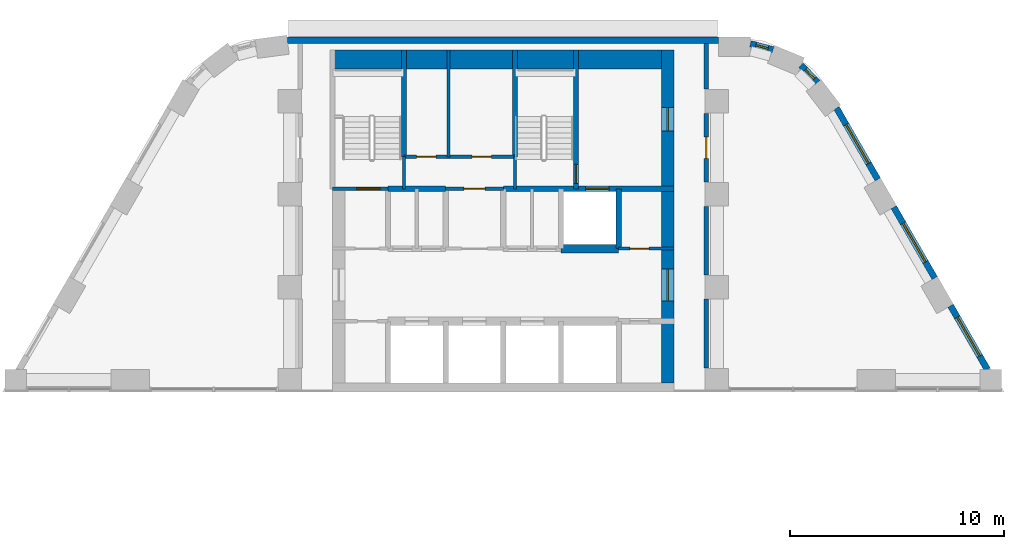
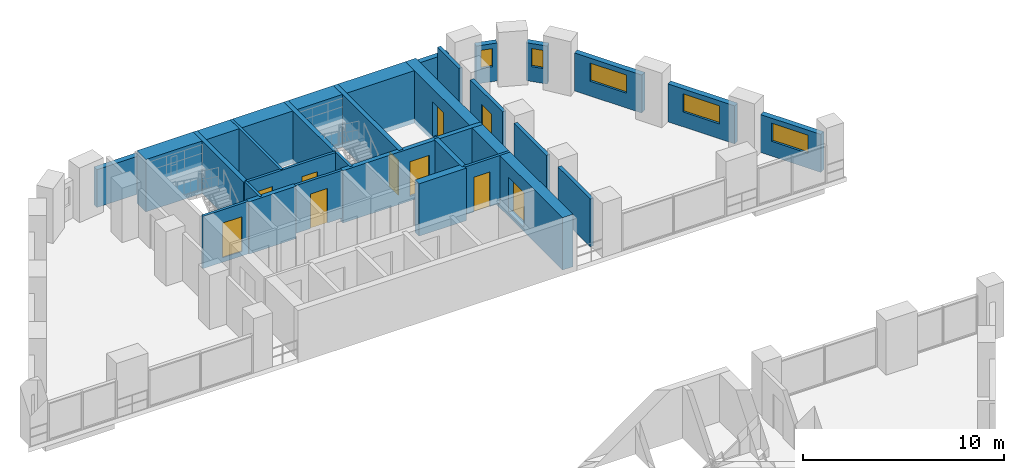
# One storey, part 8 of 11: 26 walls, 10 doors, 5 windows, 15 openings.
"""IFC4 building model written with IfcOpenShell, lengths in metres."""

from ifc_helpers import new_model, si_unit, direction, frame, frame_2d, origin, place, context, subcontext, project, spatial, rectangle, extrude, material, layer, layer_set, type_object, element, fill, save


model = new_model("IFC4")

# Units and contexts
model_context = context("Model", 3, precision=1e-05, world=origin(), true_north=direction((0.0, 1.0)))
body_context = subcontext(model_context, "Body", "Model", "MODEL_VIEW")
ifc_project = project(units=[si_unit("LENGTHUNIT", "METRE"), si_unit("AREAUNIT", "SQUARE_METRE"), si_unit("VOLUMEUNIT", "CUBIC_METRE"), si_unit("PLANEANGLEUNIT", "RADIAN"), si_unit("MASSUNIT", "GRAM", prefix="KILO")], contexts=[model_context])

# Site, building, storey
site_placement = place(None, origin())
site = spatial("IfcSite", under=ifc_project, at=site_placement, CompositionType="ELEMENT")
building_placement = place(site_placement, origin())
building = spatial("IfcBuilding", under=site, at=building_placement, Name="Nakaniwa Court", CompositionType="ELEMENT")
storey_placement = place(building_placement, frame((0.0, 0.0, 34.800048828125)))
storey = spatial("IfcBuildingStorey", under=building, at=storey_placement, Name="L08", CompositionType="ELEMENT", Elevation=34.800048828125)

# Walls
ifc_material_1 = material(Name="Acoustic double stud partition")
ifc_layer_1 = layer(ifc_material_1, 0.199951171875)
ifc_layer_set_1 = layer_set([ifc_layer_1], Name="Acoustic double stud partition")
wall_type_1 = type_object("IfcWallType", Name="Acoustic double stud partition 200", PredefinedType="PARTITIONING", material=ifc_layer_set_1)
wall_1_placement = place(storey_placement, frame((89.5, 88.51708984375, 0.0), z_axis=(0.0, 0.0, 1.0), x_axis=(0.0, 1.0, 0.0)))
element("IfcWall", 1, at=wall_1_placement, inside=storey, type_object=wall_type_1, Name="Partition PW-075", PredefinedType="PARTITIONING", context=body_context, shape_type="SweptSolid", body=[
    extrude(rectangle(XDim=3.2158203125, YDim=0.199951171875, at=frame_2d((1.60791015625, 0.0))), origin(), (0.0, 0.0, 1.0), 2.89990234375),
])
wall_2_placement = place(storey_placement, frame((89.5, 92.866943359375, 0.0), z_axis=(0.0, 0.0, 1.0), x_axis=(0.0, 1.0, 0.0)))
element("IfcWall", 2, at=wall_2_placement, inside=storey, type_object=wall_type_1, Name="Partition PW-076", PredefinedType="PARTITIONING", context=body_context, shape_type="SweptSolid", body=[
    extrude(rectangle(XDim=3.216064453125, YDim=0.199951171875, at=frame_2d((1.60791015625, 0.0))), origin(), (0.0, 0.0, 1.0), 2.89990234375),
])

# Wall, opening, door
wall_3_placement = place(storey_placement, frame((89.5, 100.43310546875, 0.0), z_axis=(0.0, 0.0, 1.0), x_axis=(0.0, -1.0, 0.0)))
wall_3 = element("IfcWall", 3, at=wall_3_placement, inside=storey, type_object=wall_type_1, Name="Partition PW-077", PredefinedType="PARTITIONING", context=body_context, shape_type="SweptSolid", body=[
    extrude(rectangle(XDim=3.216064453125, YDim=0.199951171875, at=frame_2d((1.60791015625, 0.0))), origin(), (0.0, 0.0, 1.0), 2.89990234375),
])
opening_1_placement = place(wall_3_placement, frame((1.10791015625, 0.0, 0.0)))
opening_1 = element("IfcOpeningElement", 4, at=opening_1_placement, cuts=wall_3, Name="Opening D-02-02", PredefinedType="OPENING", context=body_context, shape_type="SweptSolid", body=[
    extrude(rectangle(XDim=1.0, YDim=2.10009765625, at=frame_2d((0.5, 1.050048828125))), frame((0.0, 0.10986328125, 0.0), z_axis=(0.0, -1.0, 0.0), x_axis=(1.0, 0.0, 0.0)), (0.0, 0.0, 1.0), 0.219970703125),
])
ifc_material_2 = material(Name="Solid core timber door set, black veneer", Category="wood")
door_type_1 = type_object("IfcDoorType", Name="Internal door 1000", OperationType="NOTDEFINED", PredefinedType="DOOR", material=ifc_material_2)
door_1_placement = place(opening_1_placement, origin())
door_1 = element("IfcDoor", 5, at=door_1_placement, inside=storey, type_object=door_type_1, Name="Door D-02-02 L08-030", OperationType="SINGLE_SWING_LEFT", OverallHeight=2.10009765625, OverallWidth=1.0, PredefinedType="DOOR", context=body_context, shape_type="SweptSolid", body=[
    extrude(rectangle(XDim=1.0, YDim=2.10009765625, at=frame_2d((0.5, 1.050048828125))), frame((0.0, 0.02490234375, 0.0), z_axis=(0.0, -1.0, 0.0), x_axis=(1.0, 0.0, 0.0)), (0.0, 0.0, 1.0), 0.050048828125),
])
fill(opening_1, door_1)

# Wall
wall_4_placement = place(storey_placement, frame((89.5, 101.56689453125, 0.0), z_axis=(0.0, 0.0, 1.0), x_axis=(0.0, 1.0, 0.0)))
element("IfcWall", 6, at=wall_4_placement, inside=storey, type_object=wall_type_1, Name="Partition PW-078", PredefinedType="PARTITIONING", context=body_context, shape_type="SweptSolid", body=[
    extrude(rectangle(XDim=2.133056640625, YDim=0.199951171875, at=frame_2d((1.06640625, 0.0))), origin(), (0.0, 0.0, 1.0), 2.89990234375),
])

# Wall, opening, window
ifc_material_3 = material(Name="Charcoal ceramic cladding")
ifc_layer_2 = layer(ifc_material_3, 0.02, Name="Ceramic cladding")
ifc_material_4 = material(Name="Ventilated air cavity")
ifc_layer_3 = layer(ifc_material_4, 0.04, ventilated=True, Name="Ventilated cavity")
ifc_material_5 = material(Name="Mineral wool insulation")
ifc_layer_4 = layer(ifc_material_5, 0.1, Name="Insulation")
ifc_material_6 = material(Name="Cement bonded sheathing board")
ifc_layer_5 = layer(ifc_material_6, 0.012, Name="Sheathing")
ifc_material_7 = material(Name="Cold-formed galvanised stud frame with mineral wool infill")
ifc_layer_6 = layer(ifc_material_7, 0.1, Name="Stud frame")
ifc_material_8 = material(Name="Fire-rated gypsum plasterboard lining")
ifc_layer_7 = layer(ifc_material_8, 0.028, Name="Lining")
ifc_layer_set_2 = layer_set([ifc_layer_2, ifc_layer_3, ifc_layer_4, ifc_layer_5, ifc_layer_6, ifc_layer_7], Name="Charcoal ceramic faced external wall system")
wall_type_2 = type_object("IfcWallType", Name="Black ceramic faced external wall 300", PredefinedType="SOLIDWALL", material=ifc_layer_set_2)
wall_5_placement = place(storey_placement, frame((102.6630859375, 88.446533203125, 0.0), z_axis=(0.0, 0.0, 1.0), x_axis=(-0.500035437112, 0.866004943191, 0.0)))
wall_5 = element("IfcWall", 7, at=wall_5_placement, inside=storey, type_object=wall_type_2, Name="L08 external wall 21", PredefinedType="SOLIDWALL", context=body_context, shape_type="SweptSolid", body=[
    extrude(rectangle(XDim=3.443603515625, YDim=0.300048828125, at=frame_2d((1.7216796875, 0.0))), origin(), (0.0, 0.0, 1.0), 2.300048828125),
])
opening_2_placement = place(wall_5_placement, frame((0.722412109375, 0.0, 0.89990234375)))
opening_2 = element("IfcOpeningElement", 8, at=opening_2_placement, cuts=wall_5, Name="Opening W7.13", PredefinedType="OPENING", context=body_context, shape_type="SweptSolid", body=[
    extrude(rectangle(XDim=2.10009765625, YDim=1.10009765625, at=frame_2d((1.050048828125, 0.550048828125))), frame((0.0, 0.159912109375, 0.0), z_axis=(0.0, -1.0, 0.0), x_axis=(1.0, 0.0, 0.0)), (0.0, 0.0, 1.0), 0.320068359375),
])
ifc_material_9 = material(Name="Black anodised aluminium frame with dark low-E laminated double glazing", Category="aluminium")
window_type_1 = type_object("IfcWindowType", Name="Dark glass window 2100x1100 sill 900", PartitioningType="SINGLE_PANEL", PredefinedType="WINDOW", material=ifc_material_9)
window_1_placement = place(opening_2_placement, origin())
window_1 = element("IfcWindow", 9, at=window_1_placement, inside=storey, type_object=window_type_1, Name="L08 habitable room window 21-0", OverallHeight=1.10009765625, OverallWidth=2.10009765625, PartitioningType="SINGLE_PANEL", PredefinedType="WINDOW", context=body_context, shape_type="SweptSolid", body=[
    extrude(rectangle(XDim=2.10009765625, YDim=1.10009765625, at=frame_2d((1.050048828125, 0.550048828125))), frame((0.0, 0.030029296875, 0.0), z_axis=(0.0, -1.0, 0.0), x_axis=(1.0, 0.0, 0.0)), (0.0, 0.0, 1.0), 0.06005859375),
])
fill(opening_2, window_1)

wall_6_placement = place(storey_placement, frame((100.1953125, 92.720703125, 0.0), z_axis=(0.0, 0.0, 1.0), x_axis=(-0.500001735503, 0.866024401789, 0.0)))
wall_6 = element("IfcWall", 10, at=wall_6_placement, inside=storey, type_object=wall_type_2, Name="L08 external wall 22", PredefinedType="SOLIDWALL", context=body_context, shape_type="SweptSolid", body=[
    extrude(rectangle(XDim=3.833984375, YDim=0.300048828125, at=frame_2d((1.9169921875, 0.0))), origin(), (0.0, 0.0, 1.0), 2.300048828125),
])
opening_3_placement = place(wall_6_placement, frame((0.866943359375, 0.0, 0.89990234375)))
opening_3 = element("IfcOpeningElement", 11, at=opening_3_placement, cuts=wall_6, Name="Opening W7.14", PredefinedType="OPENING", context=body_context, shape_type="SweptSolid", body=[
    extrude(rectangle(XDim=2.10009765625, YDim=1.10009765625, at=frame_2d((1.050048828125, 0.550048828125))), frame((0.0, 0.159912109375, 0.0), z_axis=(0.0, -1.0, 0.0), x_axis=(1.0, 0.0, 0.0)), (0.0, 0.0, 1.0), 0.320068359375),
])
window_2_placement = place(opening_3_placement, origin())
window_2 = element("IfcWindow", 12, at=window_2_placement, inside=storey, type_object=window_type_1, Name="L08 habitable room window 22-0", OverallHeight=1.10009765625, OverallWidth=2.10009765625, PartitioningType="SINGLE_PANEL", PredefinedType="WINDOW", context=body_context, shape_type="SweptSolid", body=[
    extrude(rectangle(XDim=2.10009765625, YDim=1.10009765625, at=frame_2d((1.050048828125, 0.550048828125))), frame((0.0, 0.030029296875, 0.0), z_axis=(0.0, -1.0, 0.0), x_axis=(1.0, 0.0, 0.0)), (0.0, 0.0, 1.0), 0.06005859375),
])
fill(opening_3, window_2)

wall_7_placement = place(storey_placement, frame((97.5322265625, 97.3330078125, 0.0), z_axis=(0.0, 0.0, 1.0), x_axis=(-0.499948341072, 0.866055227026, 0.0)))
wall_7 = element("IfcWall", 13, at=wall_7_placement, inside=storey, type_object=wall_type_2, Name="L08 external wall 23", PredefinedType="SOLIDWALL", context=body_context, shape_type="SweptSolid", body=[
    extrude(rectangle(XDim=3.8671875, YDim=0.300048828125, at=frame_2d((1.93359375, 0.0))), origin(), (0.0, 0.0, 1.0), 2.300048828125),
])
opening_4_placement = place(wall_7_placement, frame((0.872314453125, 0.0, 0.89990234375)))
opening_4 = element("IfcOpeningElement", 14, at=opening_4_placement, cuts=wall_7, Name="Opening W7.15", PredefinedType="OPENING", context=body_context, shape_type="SweptSolid", body=[
    extrude(rectangle(XDim=2.10009765625, YDim=1.10009765625, at=frame_2d((1.050048828125, 0.550048828125))), frame((0.0, 0.159912109375, 0.0), z_axis=(0.0, -1.0, 0.0), x_axis=(1.0, 0.0, 0.0)), (0.0, 0.0, 1.0), 0.320068359375),
])
window_3_placement = place(opening_4_placement, origin())
window_3 = element("IfcWindow", 15, at=window_3_placement, inside=storey, type_object=window_type_1, Name="L08 habitable room window 23-0", OverallHeight=1.10009765625, OverallWidth=2.10009765625, PartitioningType="SINGLE_PANEL", PredefinedType="WINDOW", context=body_context, shape_type="SweptSolid", body=[
    extrude(rectangle(XDim=2.10009765625, YDim=1.10009765625, at=frame_2d((1.050048828125, 0.550048828125))), frame((0.0, 0.030029296875, 0.0), z_axis=(0.0, -1.0, 0.0), x_axis=(1.0, 0.0, 0.0)), (0.0, 0.0, 1.0), 0.06005859375),
])
fill(opening_4, window_3)

wall_8_placement = place(storey_placement, frame((94.712646484375, 101.8828125, 0.0), z_axis=(0.0, 0.0, 1.0), x_axis=(-0.696138968055, 0.717907053285, 0.0)))
wall_8 = element("IfcWall", 16, at=wall_8_placement, inside=storey, type_object=wall_type_2, Name="L08 external wall 24", PredefinedType="SOLIDWALL", context=body_context, shape_type="SweptSolid", body=[
    extrude(rectangle(XDim=1.1103515625, YDim=0.300048828125, at=frame_2d((0.55517578125, 0.0))), origin(), (0.0, 0.0, 1.0), 2.300048828125),
])
opening_5_placement = place(wall_8_placement, frame((0.230712890625, 0.0, 0.89990234375)))
opening_5 = element("IfcOpeningElement", 17, at=opening_5_placement, cuts=wall_8, Name="Opening W8.16", PredefinedType="OPENING", context=body_context, shape_type="SweptSolid", body=[
    extrude(rectangle(XDim=0.60009765625, YDim=1.10009765625, at=frame_2d((0.300048828125, 0.550048828125))), frame((0.0, 0.159912109375, 0.0), z_axis=(0.0, -1.0, 0.0), x_axis=(1.0, 0.0, 0.0)), (0.0, 0.0, 1.0), 0.320068359375),
])
window_type_2 = type_object("IfcWindowType", Name="Dark glass window 600x1100 sill 900", PartitioningType="SINGLE_PANEL", PredefinedType="WINDOW", material=ifc_material_9)
window_4_placement = place(opening_5_placement, origin())
window_4 = element("IfcWindow", 18, at=window_4_placement, inside=storey, type_object=window_type_2, Name="L08 habitable room window 24-0", OverallHeight=1.10009765625, OverallWidth=0.60009765625, PartitioningType="SINGLE_PANEL", PredefinedType="WINDOW", context=body_context, shape_type="SweptSolid", body=[
    extrude(rectangle(XDim=0.60009765625, YDim=1.10009765625, at=frame_2d((0.300048828125, 0.550048828125))), frame((0.0, 0.030029296875, 0.0), z_axis=(0.0, -1.0, 0.0), x_axis=(1.0, 0.0, 0.0)), (0.0, 0.0, 1.0), 0.06005859375),
])
fill(opening_5, window_4)

wall_9_placement = place(storey_placement, frame((92.62548828125, 103.406982421875, 0.0), z_axis=(0.0, 0.0, 1.0), x_axis=(-0.96522637192, 0.261415475728, 0.0)))
wall_9 = element("IfcWall", 19, at=wall_9_placement, inside=storey, type_object=wall_type_2, Name="L08 external wall 25", PredefinedType="SOLIDWALL", context=body_context, shape_type="SweptSolid", body=[
    extrude(rectangle(XDim=1.0927734375, YDim=0.300048828125, at=frame_2d((0.54638671875, 0.0))), origin(), (0.0, 0.0, 1.0), 2.300048828125),
])
opening_6_placement = place(wall_9_placement, frame((0.236083984375, 0.0, 0.89990234375)))
opening_6 = element("IfcOpeningElement", 20, at=opening_6_placement, cuts=wall_9, Name="Opening W8.17", PredefinedType="OPENING", context=body_context, shape_type="SweptSolid", body=[
    extrude(rectangle(XDim=0.60009765625, YDim=1.10009765625, at=frame_2d((0.300048828125, 0.550048828125))), frame((0.0, 0.159912109375, 0.0), z_axis=(0.0, -1.0, 0.0), x_axis=(1.0, 0.0, 0.0)), (0.0, 0.0, 1.0), 0.320068359375),
])
window_5_placement = place(opening_6_placement, origin())
window_5 = element("IfcWindow", 21, at=window_5_placement, inside=storey, type_object=window_type_2, Name="L08 habitable room window 25-0", OverallHeight=1.10009765625, OverallWidth=0.60009765625, PartitioningType="SINGLE_PANEL", PredefinedType="WINDOW", context=body_context, shape_type="SweptSolid", body=[
    extrude(rectangle(XDim=0.60009765625, YDim=1.10009765625, at=frame_2d((0.300048828125, 0.550048828125))), frame((0.0, 0.030029296875, 0.0), z_axis=(0.0, -1.0, 0.0), x_axis=(1.0, 0.0, 0.0)), (0.0, 0.0, 1.0), 0.06005859375),
])
fill(opening_6, window_5)

# Wall
wall_10_placement = place(storey_placement, frame((90.07861328125, 103.85009765625, 0.0), z_axis=(0.0, 0.0, 1.0), x_axis=(-1.0, 0.0, 0.0)))
element("IfcWall", 22, at=wall_10_placement, inside=storey, type_object=wall_type_2, Name="L08 external wall 26", PredefinedType="SOLIDWALL", context=body_context, shape_type="SweptSolid", body=[
    extrude(rectangle(XDim=20.1904296875, YDim=0.300048828125, at=frame_2d((10.09521484375, 0.0))), origin(), (0.0, 0.0, 1.0), 2.300048828125),
])

# Wall, opening, door
ifc_material_10 = material(Name="Blockwork partition", Category="masonry")
ifc_layer_8 = layer(ifc_material_10, 0.14990234375)
ifc_layer_set_3 = layer_set([ifc_layer_8], Name="Blockwork partition")
wall_type_3 = type_object("IfcWallType", Name="Blockwork partition 150", PredefinedType="PARTITIONING", material=ifc_layer_set_3)
wall_11_placement = place(storey_placement, frame((85.39697265625, 94.10009765625, 0.0), z_axis=(0.0, 0.0, 1.0), x_axis=(1.0, 0.0, 0.0)))
wall_11 = element("IfcWall", 23, at=wall_11_placement, inside=storey, type_object=wall_type_3, Name="Partition PW-018", PredefinedType="PARTITIONING", context=body_context, shape_type="SweptSolid", body=[
    extrude(rectangle(XDim=2.60302734375, YDim=0.14990234375, at=frame_2d((1.301513671875, 0.0))), origin(), (0.0, 0.0, 1.0), 2.89990234375),
])
opening_7_placement = place(wall_11_placement, frame((0.528076171875, 0.0, 0.0)))
opening_7 = element("IfcOpeningElement", 24, at=opening_7_placement, cuts=wall_11, Name="Opening D-05-07", PredefinedType="OPENING", context=body_context, shape_type="SweptSolid", body=[
    extrude(rectangle(XDim=0.89990234375, YDim=2.10009765625, at=frame_2d((0.449951171875, 1.050048828125))), frame((0.0, 0.0849609375, 0.0), z_axis=(0.0, -1.0, 0.0), x_axis=(1.0, 0.0, 0.0)), (0.0, 0.0, 1.0), 0.169921875),
])
ifc_material_11 = material(Name="Fire rated steel door set", Category="steel")
door_type_2 = type_object("IfcDoorType", Name="Service room door 900", OperationType="NOTDEFINED", PredefinedType="DOOR", material=ifc_material_11)
door_2_placement = place(opening_7_placement, origin())
door_2 = element("IfcDoor", 25, at=door_2_placement, inside=storey, type_object=door_type_2, Name="Door D-05-07 L08-009", OperationType="SINGLE_SWING_RIGHT", OverallHeight=2.10009765625, OverallWidth=0.89990234375, PredefinedType="DOOR", context=body_context, shape_type="SweptSolid", body=[
    extrude(rectangle(XDim=0.89990234375, YDim=2.10009765625, at=frame_2d((0.449951171875, 1.050048828125))), frame((0.0, 0.02490234375, 0.0), z_axis=(0.0, -1.0, 0.0), x_axis=(1.0, 0.0, 0.0)), (0.0, 0.0, 1.0), 0.050048828125),
])
fill(opening_7, door_2)

wall_12_placement = place(storey_placement, frame((77.300048828125, 96.89990234375, 0.0), z_axis=(0.0, 0.0, 1.0), x_axis=(1.0, 0.0, 0.0)))
wall_12 = element("IfcWall", 26, at=wall_12_placement, inside=storey, type_object=wall_type_3, Name="Partition PW-026", PredefinedType="PARTITIONING", context=body_context, shape_type="SweptSolid", body=[
    extrude(rectangle(XDim=2.699951171875, YDim=0.14990234375, at=frame_2d((1.35009765625, 0.0))), origin(), (0.0, 0.0, 1.0), 2.89990234375),
])
opening_8_placement = place(wall_12_placement, frame((0.85009765625, 0.0, 0.0)))
opening_8 = element("IfcOpeningElement", 27, at=opening_8_placement, cuts=wall_12, Name="Opening D-23-01", PredefinedType="OPENING", context=body_context, shape_type="SweptSolid", body=[
    extrude(rectangle(XDim=1.0, YDim=2.10009765625, at=frame_2d((0.5, 1.050048828125))), frame((0.0, 0.0849609375, 0.0), z_axis=(0.0, -1.0, 0.0), x_axis=(1.0, 0.0, 0.0)), (0.0, 0.0, 1.0), 0.169921875),
])
door_type_3 = type_object("IfcDoorType", Name="Service room door 1000", OperationType="NOTDEFINED", PredefinedType="DOOR", material=ifc_material_11)
door_3_placement = place(opening_8_placement, origin())
door_3 = element("IfcDoor", 28, at=door_3_placement, inside=storey, type_object=door_type_3, Name="Door D-23-01 L08-010", OperationType="SINGLE_SWING_LEFT", OverallHeight=2.10009765625, OverallWidth=1.0, PredefinedType="DOOR", context=body_context, shape_type="SweptSolid", body=[
    extrude(rectangle(XDim=1.0, YDim=2.10009765625, at=frame_2d((0.5, 1.050048828125))), frame((0.0, 0.02490234375, 0.0), z_axis=(0.0, -1.0, 0.0), x_axis=(1.0, 0.0, 0.0)), (0.0, 0.0, 1.0), 0.050048828125),
])
fill(opening_8, door_3)

# Wall, openings, doors
wall_13_placement = place(storey_placement, frame((75.35009765625, 98.39990234375, 0.0), z_axis=(0.0, 0.0, 1.0), x_axis=(1.0, 0.0, 0.0)))
wall_13 = element("IfcWall", 29, at=wall_13_placement, inside=storey, type_object=wall_type_3, Name="Partition PW-034", PredefinedType="PARTITIONING", context=body_context, shape_type="SweptSolid", body=[
    extrude(rectangle(XDim=5.199951171875, YDim=0.14990234375, at=frame_2d((2.60009765625, 0.0))), origin(), (0.0, 0.0, 1.0), 2.89990234375),
])
opening_9_placement = place(wall_13_placement, frame((0.590087890625, 0.0, 0.0)))
opening_9 = element("IfcOpeningElement", 30, at=opening_9_placement, cuts=wall_13, Name="Opening D-05-08", PredefinedType="OPENING", context=body_context, shape_type="SweptSolid", body=[
    extrude(rectangle(XDim=0.89990234375, YDim=2.10009765625, at=frame_2d((0.449951171875, 1.050048828125))), frame((0.0, 0.0849609375, 0.0), z_axis=(0.0, -1.0, 0.0), x_axis=(1.0, 0.0, 0.0)), (0.0, 0.0, 1.0), 0.169921875),
])
opening_10_placement = place(wall_13_placement, frame((3.18994140625, 0.0, 0.0)))
opening_10 = element("IfcOpeningElement", 31, at=opening_10_placement, cuts=wall_13, Name="Opening D-05-09", PredefinedType="OPENING", context=body_context, shape_type="SweptSolid", body=[
    extrude(rectangle(XDim=0.89990234375, YDim=2.10009765625, at=frame_2d((0.449951171875, 1.050048828125))), frame((0.0, 0.0849609375, 0.0), z_axis=(0.0, -1.0, 0.0), x_axis=(1.0, 0.0, 0.0)), (0.0, 0.0, 1.0), 0.169921875),
])
door_4_placement = place(opening_9_placement, origin())
door_4 = element("IfcDoor", 32, at=door_4_placement, inside=storey, type_object=door_type_2, Name="Door D-05-08 L08-011", OperationType="SINGLE_SWING_RIGHT", OverallHeight=2.10009765625, OverallWidth=0.89990234375, PredefinedType="DOOR", context=body_context, shape_type="SweptSolid", body=[
    extrude(rectangle(XDim=0.89990234375, YDim=2.10009765625, at=frame_2d((0.449951171875, 1.050048828125))), frame((0.0, 0.02490234375, 0.0), z_axis=(0.0, -1.0, 0.0), x_axis=(1.0, 0.0, 0.0)), (0.0, 0.0, 1.0), 0.050048828125),
])
fill(opening_9, door_4)
door_5_placement = place(opening_10_placement, origin())
door_5 = element("IfcDoor", 33, at=door_5_placement, inside=storey, type_object=door_type_2, Name="Door D-05-09 L08-012", OperationType="SINGLE_SWING_LEFT", OverallHeight=2.10009765625, OverallWidth=0.89990234375, PredefinedType="DOOR", context=body_context, shape_type="SweptSolid", body=[
    extrude(rectangle(XDim=0.89990234375, YDim=2.10009765625, at=frame_2d((0.449951171875, 1.050048828125))), frame((0.0, 0.02490234375, 0.0), z_axis=(0.0, -1.0, 0.0), x_axis=(1.0, 0.0, 0.0)), (0.0, 0.0, 1.0), 0.050048828125),
])
fill(opening_10, door_5)

# Wall
wall_14_placement = place(storey_placement, frame((77.429931640625, 98.39990234375, 0.0), z_axis=(0.0, 0.0, 1.0), x_axis=(0.0, 1.0, 0.0)))
element("IfcWall", 34, at=wall_14_placement, inside=storey, type_object=wall_type_3, Name="Partition PW-035", PredefinedType="PARTITIONING", context=body_context, shape_type="SweptSolid", body=[
    extrude(rectangle(XDim=5.0, YDim=0.14990234375, at=frame_2d((2.5, 0.0))), origin(), (0.0, 0.0, 1.0), 2.89990234375),
])

# Wall, openings, doors
ifc_material_12 = material(Name="Concrete C100/115", Category="concrete")
ifc_layer_9 = layer(ifc_material_12, 0.60009765625)
ifc_layer_set_4 = layer_set([ifc_layer_9], Name="Concrete C100/115")
wall_type_4 = type_object("IfcWallType", Name="Concrete core side wall 600 C100", PredefinedType="SHEAR", material=ifc_layer_set_4)
wall_15_placement = place(storey_placement, frame((87.699951171875, 103.39990234375, -0.275146484375), z_axis=(0.0, 0.0, 1.0), x_axis=(0.0, -1.0, 0.0)))
wall_15 = element("IfcWall", 35, at=wall_15_placement, inside=storey, type_object=wall_type_4, Name="Core wall SW-15", PredefinedType="SHEAR", context=body_context, shape_type="SweptSolid", body=[
    extrude(rectangle(XDim=15.599853515625, YDim=0.60009765625, at=frame_2d((7.7998046875, 0.0))), origin(), (0.0, 0.0, 1.0), 3.175048828125),
])
opening_11_placement = place(wall_15_placement, frame((10.25, 0.0, 0.27490234375)))
opening_11 = element("IfcOpeningElement", 36, at=opening_11_placement, cuts=wall_15, Name="Opening D-07-01", PredefinedType="OPENING", context=body_context, shape_type="SweptSolid", body=[
    extrude(rectangle(XDim=1.5, YDim=2.10009765625, at=frame_2d((0.75, 1.050048828125))), frame((0.0, 0.31005859375, 0.0), z_axis=(0.0, -1.0, 0.0), x_axis=(1.0, 0.0, 0.0)), (0.0, 0.0, 1.0), 0.6201171875),
])
opening_12_placement = place(wall_15_placement, frame((2.699951171875, 0.0, 0.27490234375)))
opening_12 = element("IfcOpeningElement", 37, at=opening_12_placement, cuts=wall_15, Name="Opening D-10-01", PredefinedType="OPENING", context=body_context, shape_type="SweptSolid", body=[
    extrude(rectangle(XDim=1.10009765625, YDim=2.10009765625, at=frame_2d((0.550048828125, 1.050048828125))), frame((0.0, 0.31005859375, 0.0), z_axis=(0.0, -1.0, 0.0), x_axis=(1.0, 0.0, 0.0)), (0.0, 0.0, 1.0), 0.6201171875),
])
door_type_4 = type_object("IfcDoorType", Name="Firefighting lobby door 1100", OperationType="NOTDEFINED", PredefinedType="DOOR", material=ifc_material_11)
door_6_placement = place(opening_12_placement, origin())
door_6 = element("IfcDoor", 38, at=door_6_placement, inside=storey, type_object=door_type_4, Name="Door D-10-01 L08-035", OperationType="SINGLE_SWING_RIGHT", OverallHeight=2.10009765625, OverallWidth=1.10009765625, PredefinedType="DOOR", context=body_context, shape_type="SweptSolid", body=[
    extrude(rectangle(XDim=1.10009765625, YDim=2.10009765625, at=frame_2d((0.550048828125, 1.050048828125))), frame((0.0, 0.02490234375, 0.0), z_axis=(0.0, -1.0, 0.0), x_axis=(1.0, 0.0, 0.0)), (0.0, 0.0, 1.0), 0.050048828125),
])
fill(opening_12, door_6)
ifc_material_13 = material(Name="Glazed fire rated steel double door set", Category="steel")
door_type_5 = type_object("IfcDoorType", Name="Lobby double door 1500", OperationType="NOTDEFINED", PredefinedType="DOOR", material=ifc_material_13)
door_7_placement = place(opening_11_placement, origin())
door_7 = element("IfcDoor", 39, at=door_7_placement, inside=storey, type_object=door_type_5, Name="Door D-07-01 L08-033", OperationType="DOUBLE_DOOR_SINGLE_SWING", OverallHeight=2.10009765625, OverallWidth=1.5, PredefinedType="DOOR", context=body_context, shape_type="SweptSolid", body=[
    extrude(rectangle(XDim=1.5, YDim=2.10009765625, at=frame_2d((0.75, 1.050048828125))), frame((0.0, 0.02490234375, 0.0), z_axis=(0.0, -1.0, 0.0), x_axis=(1.0, 0.0, 0.0)), (0.0, 0.0, 1.0), 0.050048828125),
])
fill(opening_11, door_7)

# Wall
ifc_layer_10 = layer(ifc_material_12, 0.39990234375)
ifc_layer_set_5 = layer_set([ifc_layer_10], Name="Concrete C100/115")
wall_type_5 = type_object("IfcWallType", Name="Concrete core spine wall 400 C100", PredefinedType="SHEAR", material=ifc_layer_set_5)
wall_16_placement = place(storey_placement, frame((82.697021484375, 94.10009765625, -0.275146484375), z_axis=(0.0, 0.0, 1.0), x_axis=(1.0, 0.0, 0.0)))
element("IfcWall", 40, at=wall_16_placement, inside=storey, type_object=wall_type_5, Name="Core wall SW-21", PredefinedType="SHEAR", context=body_context, shape_type="SweptSolid", body=[
    extrude(rectangle(XDim=2.7060546875, YDim=0.39990234375, at=frame_2d((1.35302734375, 0.0))), origin(), (0.0, 0.0, 1.0), 3.175048828125),
])

# Wall, opening, door
ifc_layer_11 = layer(ifc_material_12, 0.14990234375)
ifc_layer_set_6 = layer_set([ifc_layer_11], Name="Concrete C100/115")
wall_type_6 = type_object("IfcWallType", Name="Concrete core wall 150 C100", PredefinedType="SHEAR", material=ifc_layer_set_6)
wall_17_placement = place(storey_placement, frame((74.60009765625, 96.89990234375, -0.275146484375), z_axis=(0.0, 0.0, 1.0), x_axis=(-1.0, 0.0, 0.0)))
wall_17 = element("IfcWall", 41, at=wall_17_placement, inside=storey, type_object=wall_type_6, Name="Core wall SW-22", PredefinedType="SHEAR", context=body_context, shape_type="SweptSolid", body=[
    extrude(rectangle(XDim=2.60009765625, YDim=0.14990234375, at=frame_2d((1.300048828125, 0.0))), origin(), (0.0, 0.0, 1.0), 3.175048828125),
])
opening_13_placement = place(wall_17_placement, frame((0.3701171875, 0.0, 0.27490234375)))
opening_13 = element("IfcOpeningElement", 42, at=opening_13_placement, cuts=wall_17, Name="Opening D-09-01", PredefinedType="OPENING", context=body_context, shape_type="SweptSolid", body=[
    extrude(rectangle(XDim=1.10009765625, YDim=2.10009765625, at=frame_2d((0.550048828125, 1.050048828125))), frame((0.0, 0.0849609375, 0.0), z_axis=(0.0, -1.0, 0.0), x_axis=(1.0, 0.0, 0.0)), (0.0, 0.0, 1.0), 0.169921875),
])
door_type_6 = type_object("IfcDoorType", Name="Stair door 1100", OperationType="NOTDEFINED", PredefinedType="DOOR", material=ifc_material_11)
door_8_placement = place(opening_13_placement, origin())
door_8 = element("IfcDoor", 43, at=door_8_placement, inside=storey, type_object=door_type_6, Name="Door D-09-01 L08-013", OperationType="SINGLE_SWING_LEFT", OverallHeight=2.10009765625, OverallWidth=1.10009765625, PredefinedType="DOOR", context=body_context, shape_type="SweptSolid", body=[
    extrude(rectangle(XDim=1.10009765625, YDim=2.10009765625, at=frame_2d((0.550048828125, 1.050048828125))), frame((0.0, 0.02490234375, 0.0), z_axis=(0.0, -1.0, 0.0), x_axis=(1.0, 0.0, 0.0)), (0.0, 0.0, 1.0), 0.050048828125),
])
fill(opening_13, door_8)

# Walls
for number, where, z_axis, x_axis, name in (
    (44, (75.35009765625, 96.89990234375, -0.275146484375), (0.0, 0.0, 1.0), (0.0, 1.0, 0.0), "Core wall SW-28"),
    (45, (80.550048828125, 96.89990234375, -0.275146484375), (0.0, 0.0, 1.0), (0.0, 1.0, 0.0), "Core wall SW-32"),
):
    element("IfcWall", number, at=place(storey_placement, frame(where, z_axis=z_axis, x_axis=x_axis)), inside=storey, type_object=wall_type_6, Name=name, PredefinedType="SHEAR", context=body_context, shape_type="SweptSolid", body=[
        extrude(rectangle(XDim=1.503173828125, YDim=0.14990234375, at=frame_2d((0.75146484375, 0.0))), origin(), (0.0, 0.0, 1.0), 3.175048828125),
    ])
ifc_layer_12 = layer(ifc_material_12, 0.89990234375)
ifc_layer_set_7 = layer_set([ifc_layer_12], Name="Concrete C100/115")
wall_type_7 = type_object("IfcWallType", Name="Concrete core wall 900 C100", PredefinedType="SHEAR", material=ifc_layer_set_7)
wall_18_placement = place(storey_placement, frame((72.00390625, 102.949951171875, -0.275146484375), z_axis=(0.0, 0.0, 1.0), x_axis=(1.0, 0.0, 0.0)))
element("IfcWall", 46, at=wall_18_placement, inside=storey, type_object=wall_type_7, Name="Core wall SW-88", PredefinedType="SHEAR", context=body_context, shape_type="SweptSolid", body=[
    extrude(rectangle(XDim=15.9921875, YDim=0.89990234375, at=frame_2d((7.99609375, 0.0))), origin(), (0.0, 0.0, 1.0), 3.175048828125),
])
ifc_layer_13 = layer(ifc_material_12, 0.25)
ifc_layer_set_8 = layer_set([ifc_layer_13], Name="Concrete C100/115")
wall_type_8 = type_object("IfcWallType", Name="Concrete shaft wall 250 C100", PredefinedType="SHEAR", material=ifc_layer_set_8)
wall_19_placement = place(storey_placement, frame((85.39990234375, 94.10009765625, -0.275146484375), z_axis=(0.0, 0.0, 1.0), x_axis=(0.0, 1.0, 0.0)))
element("IfcWall", 47, at=wall_19_placement, inside=storey, type_object=wall_type_8, Name="Core wall SW-13", PredefinedType="SHEAR", context=body_context, shape_type="SweptSolid", body=[
    extrude(rectangle(XDim=2.7998046875, YDim=0.25, at=frame_2d((1.39990234375, 0.0))), origin(), (0.0, 0.0, 1.0), 3.175048828125),
])
wall_20_placement = place(storey_placement, frame((74.60009765625, 96.89990234375, -0.275146484375), z_axis=(0.0, 0.0, 1.0), x_axis=(1.0, 0.0, 0.0)))
element("IfcWall", 48, at=wall_20_placement, inside=storey, type_object=wall_type_8, Name="Core wall SW-24", PredefinedType="SHEAR", context=body_context, shape_type="SweptSolid", body=[
    extrude(rectangle(XDim=2.699951171875, YDim=0.25, at=frame_2d((1.35009765625, 0.0))), origin(), (0.0, 0.0, 1.0), 3.175048828125),
])

# Wall, opening, door
wall_21_placement = place(storey_placement, frame((80.0, 96.89990234375, -0.275146484375), z_axis=(0.0, 0.0, 1.0), x_axis=(1.0, 0.0, 0.0)))
wall_21 = element("IfcWall", 49, at=wall_21_placement, inside=storey, type_object=wall_type_8, Name="Core wall SW-25", PredefinedType="SHEAR", context=body_context, shape_type="SweptSolid", body=[
    extrude(rectangle(XDim=8.0, YDim=0.25, at=frame_2d((4.0, 0.0))), origin(), (0.0, 0.0, 1.0), 3.175048828125),
])
opening_14_placement = place(wall_21_placement, frame((3.84912109375, 0.0, 0.27490234375)))
opening_14 = element("IfcOpeningElement", 50, at=opening_14_placement, cuts=wall_21, Name="Opening LD04", PredefinedType="OPENING", context=body_context, shape_type="SweptSolid", body=[
    extrude(rectangle(XDim=1.10009765625, YDim=2.10009765625, at=frame_2d((0.550048828125, 1.050048828125))), frame((0.0, 0.135009765625, 0.0), z_axis=(0.0, -1.0, 0.0), x_axis=(1.0, 0.0, 0.0)), (0.0, 0.0, 1.0), 0.27001953125),
])
ifc_material_14 = material(Name="Stainless steel sliding lift landing door", Category="steel")
door_type_7 = type_object("IfcDoorType", Name="Lift landing door 1100", OperationType="NOTDEFINED", PredefinedType="DOOR", material=ifc_material_14)
door_9_placement = place(opening_14_placement, origin())
door_9 = element("IfcDoor", 51, at=door_9_placement, inside=storey, type_object=door_type_7, Name="Lift landing door LD04 L08-004", OperationType="SLIDING_TO_LEFT", OverallHeight=2.10009765625, OverallWidth=1.10009765625, PredefinedType="DOOR", context=body_context, shape_type="SweptSolid", body=[
    extrude(rectangle(XDim=1.10009765625, YDim=2.10009765625, at=frame_2d((0.550048828125, 1.050048828125))), frame((0.0, 0.02490234375, 0.0), z_axis=(0.0, -1.0, 0.0), x_axis=(1.0, 0.0, 0.0)), (0.0, 0.0, 1.0), 0.050048828125),
])
fill(opening_14, door_9)

# Wall
wall_22_placement = place(storey_placement, frame((75.35009765625, 98.39697265625, -0.275146484375), z_axis=(0.0, 0.0, 1.0), x_axis=(0.0, 1.0, 0.0)))
element("IfcWall", 52, at=wall_22_placement, inside=storey, type_object=wall_type_8, Name="Core wall SW-29", PredefinedType="SHEAR", context=body_context, shape_type="SweptSolid", body=[
    extrude(rectangle(XDim=5.0029296875, YDim=0.25, at=frame_2d((2.50146484375, 0.0))), origin(), (0.0, 0.0, 1.0), 3.175048828125),
])

# Wall, opening, door
wall_23_placement = place(storey_placement, frame((83.39990234375, 103.39990234375, -0.275146484375), z_axis=(0.0, 0.0, 1.0), x_axis=(0.0, -1.0, 0.0)))
wall_23 = element("IfcWall", 53, at=wall_23_placement, inside=storey, type_object=wall_type_8, Name="Core wall SW-31", PredefinedType="SHEAR", context=body_context, shape_type="SweptSolid", body=[
    extrude(rectangle(XDim=6.5, YDim=0.25, at=frame_2d((3.25, 0.0))), origin(), (0.0, 0.0, 1.0), 3.175048828125),
])
opening_15_placement = place(wall_23_placement, frame((5.35009765625, 0.0, 0.27490234375)))
opening_15 = element("IfcOpeningElement", 54, at=opening_15_placement, cuts=wall_23, Name="Opening D-11-01", PredefinedType="OPENING", context=body_context, shape_type="SweptSolid", body=[
    extrude(rectangle(XDim=0.89990234375, YDim=2.10009765625, at=frame_2d((0.449951171875, 1.050048828125))), frame((0.0, 0.135009765625, 0.0), z_axis=(0.0, -1.0, 0.0), x_axis=(1.0, 0.0, 0.0)), (0.0, 0.0, 1.0), 0.27001953125),
])
door_type_8 = type_object("IfcDoorType", Name="Stair door 900", OperationType="NOTDEFINED", PredefinedType="DOOR", material=ifc_material_11)
door_10_placement = place(opening_15_placement, origin())
door_10 = element("IfcDoor", 55, at=door_10_placement, inside=storey, type_object=door_type_8, Name="Door D-11-01 L08-014", OperationType="SINGLE_SWING_RIGHT", OverallHeight=2.10009765625, OverallWidth=0.89990234375, PredefinedType="DOOR", context=body_context, shape_type="SweptSolid", body=[
    extrude(rectangle(XDim=0.89990234375, YDim=2.10009765625, at=frame_2d((0.449951171875, 1.050048828125))), frame((0.0, 0.02490234375, 0.0), z_axis=(0.0, -1.0, 0.0), x_axis=(1.0, 0.0, 0.0)), (0.0, 0.0, 1.0), 0.050048828125),
])
fill(opening_15, door_10)

# Wall
wall_24_placement = place(storey_placement, frame((80.550048828125, 98.39697265625, -0.275146484375), z_axis=(0.0, 0.0, 1.0), x_axis=(0.0, 1.0, 0.0)))
element("IfcWall", 56, at=wall_24_placement, inside=storey, type_object=wall_type_8, Name="Core wall SW-33", PredefinedType="SHEAR", context=body_context, shape_type="SweptSolid", body=[
    extrude(rectangle(XDim=5.0029296875, YDim=0.25, at=frame_2d((2.50146484375, 0.0))), origin(), (0.0, 0.0, 1.0), 3.175048828125),
])

save(model, "model.ifc")
